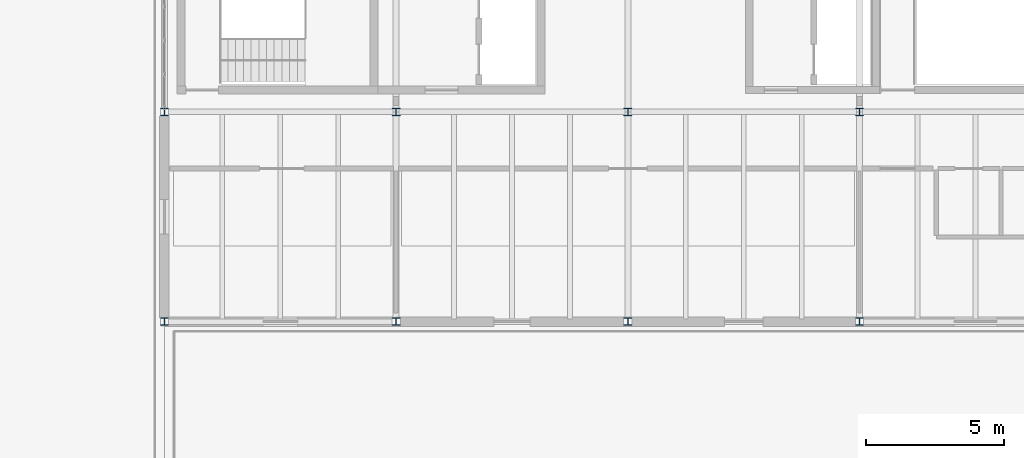
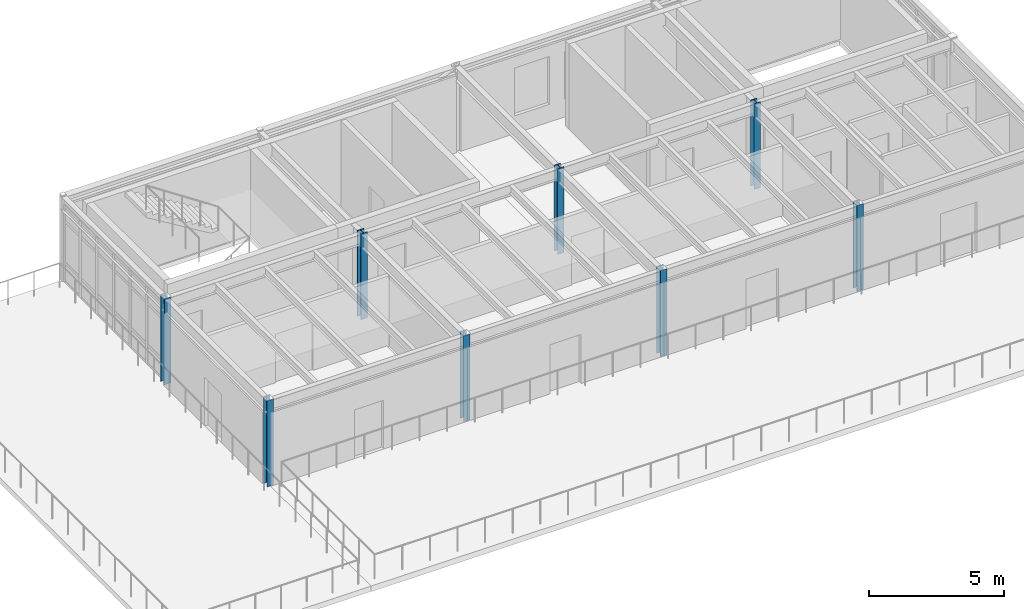
# One storey, part 1 of 26: 8 columns.
"""IFC4 building model written with IfcOpenShell, lengths in metres."""

from ifc_helpers import new_model, si_unit, direction, frame, origin, origin_2d, place, context, subcontext, project, spatial, i_section, extrude, material, material_profile, profile_set, type_object, element, save


model = new_model("IFC4")

# Units and contexts
model_context = context("Model", 3, precision=1e-05, world=origin(), true_north=direction((0.0, 1.0)))
body_context = subcontext(model_context, "Body", "Model", "MODEL_VIEW")
ifc_project = project(units=[si_unit("LENGTHUNIT", "METRE"), si_unit("AREAUNIT", "SQUARE_METRE"), si_unit("VOLUMEUNIT", "CUBIC_METRE"), si_unit("PLANEANGLEUNIT", "RADIAN"), si_unit("MASSUNIT", "GRAM", prefix="KILO")], contexts=[model_context])

# Site, building, storey
site_placement = place(None, origin())
site = spatial("IfcSite", under=ifc_project, at=site_placement, CompositionType="ELEMENT")
building_placement = place(site_placement, origin())
building = spatial("IfcBuilding", under=site, at=building_placement, Name="Montecoro Central Library", CompositionType="ELEMENT")
storey_placement = place(building_placement, frame((0.0, 0.0, 21.419921875)))
storey = spatial("IfcBuildingStorey", under=building, at=storey_placement, Name="L05", CompositionType="ELEMENT", Elevation=21.419921875)

# Columns
ifc_material = material(Name="Steel S355", Category="steel")
ifc_material_profile = material_profile(ifc_material, i_section(OverallWidth=0.280029296875, OverallDepth=0.280029296875, WebThickness=0.010498046875, FlangeThickness=0.01806640625, at=origin_2d()), Name="HEB 280")
ifc_profile_set = profile_set([ifc_material_profile], Name="Steel S355")
column_type = type_object("IfcColumnType", Name="COL-HEB280", PredefinedType="COLUMN", material=ifc_profile_set)
for number, where, z_axis, x_axis, name in (
    (1, (74.800048828125, 103.800048828125, 0.0), (0.0, 0.0, 1.0), (1.0, 0.0, 0.0), "V2-L05-COL-10-P"),
    (2, (74.800048828125, 111.39990234375, 0.0), (0.0, 0.0, 1.0), (1.0, 0.0, 0.0), "V2-L05-COL-10-Q"),
    (3, (83.199951171875, 103.800048828125, 0.0), (0.0, 0.0, 1.0), (1.0, 0.0, 0.0), "V2-L05-COL-11-P"),
    (4, (83.199951171875, 111.39990234375, 0.0), (0.0, 0.0, 1.0), (1.0, 0.0, 0.0), "V2-L05-COL-11-Q"),
    (5, (91.60009765625, 103.800048828125, 0.0), (0.0, 0.0, 1.0), (1.0, 0.0, 0.0), "V2-L05-COL-12-P"),
    (6, (91.60009765625, 111.39990234375, 0.0), (0.0, 0.0, 1.0), (1.0, 0.0, 0.0), "V2-L05-COL-12-Q"),
    (7, (100.0, 103.800048828125, 0.0), (0.0, 0.0, 1.0), (1.0, 0.0, 0.0), "V2-L05-COL-13-P"),
    (8, (100.0, 111.39990234375, 0.0), (0.0, 0.0, 1.0), (1.0, 0.0, 0.0), "V2-L05-COL-13-Q"),
):
    element("IfcColumn", number, at=place(storey_placement, frame(where, z_axis=z_axis, x_axis=x_axis)), inside=storey, type_object=column_type, Name=name, PredefinedType="COLUMN", context=body_context, shape_type="SweptSolid", body=[
        extrude(i_section(OverallWidth=0.280029296875, OverallDepth=0.280029296875, WebThickness=0.010498046875, FlangeThickness=0.01806640625, at=origin_2d()), origin(), (0.0, 0.0, 1.0), 3.880126953125),
    ])

save(model, "model.ifc")
